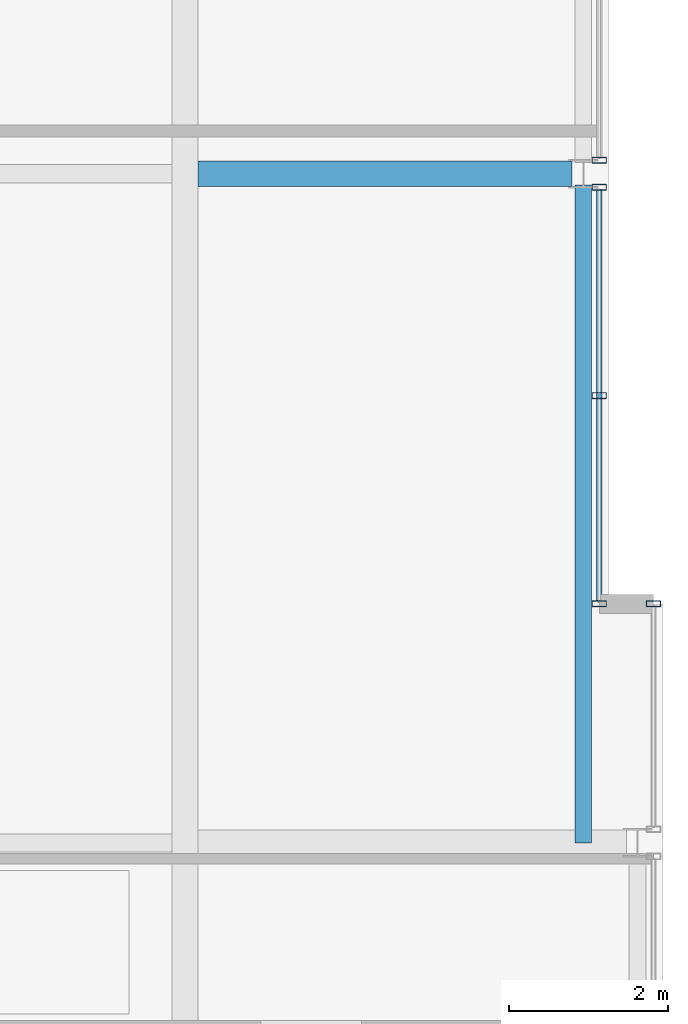
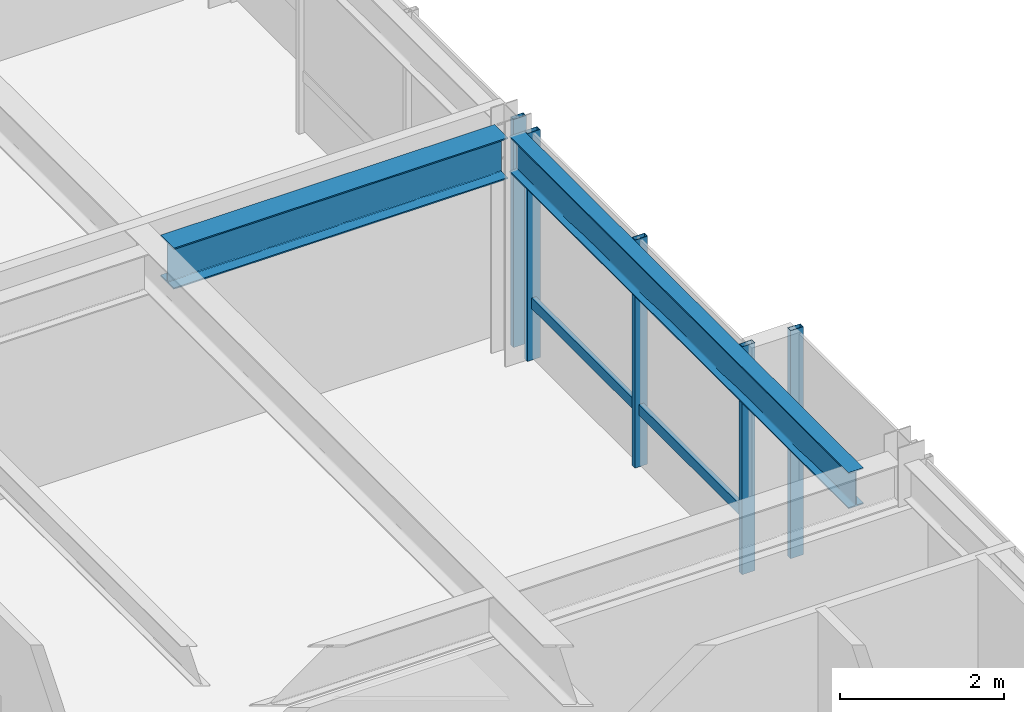
# One storey, part 18 of 33: 6 members, 2 beams, 3 elements without a shape of their own.
"""IFC4 building model written with IfcOpenShell, lengths in metres."""

from ifc_helpers import new_model, si_unit, direction, frame, origin, origin_2d, place, context, subcontext, project, spatial, hollow_rectangle, i_section, extrude, material, layer, layer_set, material_profile, profile_set, type_object, element, aggregate, save


model = new_model("IFC4")

# Units and contexts
model_context = context("Model", 3, precision=1e-05, world=origin(), true_north=direction((0.0, 1.0)))
body_context = subcontext(model_context, "Body", "Model", "MODEL_VIEW")
ifc_project = project(units=[si_unit("LENGTHUNIT", "METRE"), si_unit("AREAUNIT", "SQUARE_METRE"), si_unit("VOLUMEUNIT", "CUBIC_METRE"), si_unit("PLANEANGLEUNIT", "RADIAN"), si_unit("MASSUNIT", "GRAM", prefix="KILO")], contexts=[model_context])

# Site, building, storey
site_placement = place(None, origin())
site = spatial("IfcSite", under=ifc_project, at=site_placement, CompositionType="ELEMENT")
building_placement = place(site_placement, origin())
building = spatial("IfcBuilding", under=site, at=building_placement, Name="Drelvath Grand Hotel", CompositionType="ELEMENT")
storey_placement = place(building_placement, frame((0.0, 0.0, 275.949951171875)))
storey = spatial("IfcBuildingStorey", under=building, at=storey_placement, Name="L72", CompositionType="ELEMENT", Elevation=275.949951171875)

# Curtain wall, members
ifc_material_1 = material(Name="Platinum-Mist Anodised Aluminium Frame", Category="aluminium")
ifc_layer = layer(ifc_material_1, 0.199951171875)
ifc_layer_set = layer_set([ifc_layer], Name="Platinum-Mist Anodised Aluminium Frame")
curtain_wall_type = type_object("IfcCurtainWallType", Name="Stick Curtain Wall CW-05 Platinum Mist High-Rise", PredefinedType="NOTDEFINED", material=ifc_layer_set)
curtain_wall_1_placement = place(storey_placement, origin())
curtain_wall_1 = element("IfcCurtainWall", 1, at=curtain_wall_1_placement, inside=storey, type_object=curtain_wall_type, Name="L72 CW-05 Curtain Wall CW05-L72-EM1", PredefinedType="NOTDEFINED")
ifc_material_profile_1 = material_profile(ifc_material_1, hollow_rectangle(XDim=0.06494140625, YDim=0.159912109375, WallThickness=0.00390625, at=origin_2d()), Name="HSS160X65X4")
ifc_profile_set_1 = profile_set([ifc_material_profile_1], Name="Platinum-Mist Anodised Aluminium Frame")
member_type_1 = type_object("IfcMemberType", Name="Curtain Wall Horizontal Transom CW-05 HSS160X65X4", PredefinedType="USERDEFINED", material=ifc_profile_set_1)
member_1_placement = place(storey_placement, frame((21.39990234375, 26.7900390625, 0.84765625), z_axis=(0.0, -1.0, 0.0), x_axis=(1.0, 0.0, 0.0)))
member_1 = element("IfcMember", 2, at=member_1_placement, type_object=member_type_1, Name="CW05-L72-EM1 Sill Transom", ObjectType="TRANSOM", PredefinedType="USERDEFINED", context=body_context, shape_type="SweptSolid", body=[
    extrude(hollow_rectangle(XDim=0.06494140625, YDim=0.159912109375, WallThickness=0.00390625, at=origin_2d()), origin(), (0.0, 0.0, 1.0), 5.150146484375),
])
ifc_material_profile_2 = material_profile(ifc_material_1, hollow_rectangle(XDim=0.074951171875, YDim=0.179931640625, WallThickness=0.0048828125, at=origin_2d()), Name="HSS180X75X5")
ifc_profile_set_2 = profile_set([ifc_material_profile_2], Name="Platinum-Mist Anodised Aluminium Frame")
member_type_2 = type_object("IfcMemberType", Name="Curtain Wall Vertical Mullion CW-05 HSS180X75X5", PredefinedType="MULLION", material=ifc_profile_set_2)
member_2_placement = place(storey_placement, frame((21.39990234375, 26.830078125, 0.0), z_axis=(0.0, 0.0, 1.0), x_axis=(0.0, 1.0, 0.0)))
member_2 = element("IfcMember", 3, at=member_2_placement, type_object=member_type_2, Name="CW05-L72-EM1 Mullion 1", PredefinedType="MULLION", context=body_context, shape_type="SweptSolid", body=[
    extrude(hollow_rectangle(XDim=0.074951171875, YDim=0.179931640625, WallThickness=0.0048828125, at=origin_2d()), origin(), (0.0, 0.0, 1.0), 3.39013671875),
])
member_3_placement = place(storey_placement, frame((21.39990234375, 24.215087890625, 0.0), z_axis=(0.0, 0.0, 1.0), x_axis=(0.0, 1.0, 0.0)))
member_3 = element("IfcMember", 4, at=member_3_placement, type_object=member_type_2, Name="CW05-L72-EM1 Mullion 2", PredefinedType="MULLION", context=body_context, shape_type="SweptSolid", body=[
    extrude(hollow_rectangle(XDim=0.074951171875, YDim=0.179931640625, WallThickness=0.0048828125, at=origin_2d()), origin(), (0.0, 0.0, 1.0), 3.39013671875),
])
member_4_placement = place(storey_placement, frame((21.39990234375, 21.60009765625, 0.0), z_axis=(0.0, 0.0, 1.0), x_axis=(0.0, 1.0, 0.0)))
member_4 = element("IfcMember", 5, at=member_4_placement, type_object=member_type_2, Name="CW05-L72-EM1 Mullion 3", PredefinedType="MULLION", context=body_context, shape_type="SweptSolid", body=[
    extrude(hollow_rectangle(XDim=0.074951171875, YDim=0.179931640625, WallThickness=0.0048828125, at=origin_2d()), origin(), (0.0, 0.0, 1.0), 3.39013671875),
])
aggregate(curtain_wall_1, [member_2, member_3, member_4, member_1])

# Curtain wall, member
curtain_wall_2_placement = place(storey_placement, origin())
curtain_wall_2 = element("IfcCurtainWall", 6, at=curtain_wall_2_placement, inside=storey, type_object=curtain_wall_type, Name="L72 CW-05 Curtain Wall CW05-L72-EM2", PredefinedType="NOTDEFINED")
member_5_placement = place(storey_placement, frame((21.39990234375, 27.169921875, 0.0), z_axis=(0.0, 0.0, 1.0), x_axis=(0.0, 1.0, 0.0)))
member_5 = element("IfcMember", 7, at=member_5_placement, type_object=member_type_2, Name="CW05-L72-EM2 Mullion 3", PredefinedType="MULLION", context=body_context, shape_type="SweptSolid", body=[
    extrude(hollow_rectangle(XDim=0.074951171875, YDim=0.179931640625, WallThickness=0.0048828125, at=origin_2d()), origin(), (0.0, 0.0, 1.0), 3.39013671875),
])
aggregate(curtain_wall_2, [member_5])

curtain_wall_3_placement = place(storey_placement, origin())
curtain_wall_3 = element("IfcCurtainWall", 8, at=curtain_wall_3_placement, inside=storey, type_object=curtain_wall_type, Name="L72 CW-05 Curtain Wall CW05-L72-ES2", PredefinedType="NOTDEFINED")
member_6_placement = place(storey_placement, frame((22.080078125, 21.60009765625, 0.0), z_axis=(0.0, 0.0, 1.0), x_axis=(0.0, 1.0, 0.0)))
member_6 = element("IfcMember", 9, at=member_6_placement, type_object=member_type_2, Name="CW05-L72-ES2 Mullion 1", PredefinedType="MULLION", context=body_context, shape_type="SweptSolid", body=[
    extrude(hollow_rectangle(XDim=0.074951171875, YDim=0.179931640625, WallThickness=0.0048828125, at=origin_2d()), origin(), (0.0, 0.0, 1.0), 3.39013671875),
])
aggregate(curtain_wall_3, [member_6])

# Beams
ifc_material_2 = material(Name="Steel ASTM A992 Gr 50", Category="steel")
ifc_material_profile_3 = material_profile(ifc_material_2, i_section(OverallWidth=0.210205078125, OverallDepth=0.53662109375, WebThickness=0.010986328125, FlangeThickness=0.017333984375, FilletRadius=0.01806640625, at=origin_2d()), Name="W21X68")
ifc_profile_set_3 = profile_set([ifc_material_profile_3], Name="Steel ASTM A992 Gr 50")
beam_type_1 = type_object("IfcBeamType", Name="Perimeter Spandrel Beam W21X68", PredefinedType="SPANDREL", material=ifc_profile_set_3)
beam_1_placement = place(storey_placement, frame((21.199951171875, 18.60009765625, 3.12158203125), z_axis=(0.0, 1.0, 0.0), x_axis=(-1.0, 0.0, 0.0)))
element("IfcBeam", 10, at=beam_1_placement, inside=storey, type_object=beam_type_1, Name="L72 Spandrel East Mid S", PredefinedType="SPANDREL", context=body_context, shape_type="SweptSolid", body=[
    extrude(i_section(OverallWidth=0.210205078125, OverallDepth=0.53662109375, WebThickness=0.010986328125, FlangeThickness=0.017333984375, FilletRadius=0.01806640625, at=origin_2d()), origin(), (0.0, 0.0, 1.0), 8.260009765625),
])
ifc_material_profile_4 = material_profile(ifc_material_2, i_section(OverallWidth=0.323974609375, OverallDepth=0.611083984375, WebThickness=0.0126953125, FlangeThickness=0.01904296875, FilletRadius=0.02197265625, at=origin_2d()), Name="W24X104")
ifc_profile_set_4 = profile_set([ifc_material_profile_4], Name="Steel ASTM A992 Gr 50")
beam_type_2 = type_object("IfcBeamType", Name="Primary Floor Girder W24X104", PredefinedType="BEAM", material=ifc_profile_set_4)
beam_2_placement = place(storey_placement, frame((16.362060546875, 27.0, 3.08447265625), z_axis=(1.0, 0.0, 0.0), x_axis=(0.0, 1.0, 0.0)))
element("IfcBeam", 11, at=beam_2_placement, inside=storey, type_object=beam_type_2, Name="L72 East Wing Girder E", PredefinedType="BEAM", context=body_context, shape_type="SweptSolid", body=[
    extrude(i_section(OverallWidth=0.323974609375, OverallDepth=0.611083984375, WebThickness=0.0126953125, FlangeThickness=0.01904296875, FilletRadius=0.02197265625, at=origin_2d()), origin(), (0.0, 0.0, 1.0), 4.697998046875),
])

save(model, "model.ifc")
